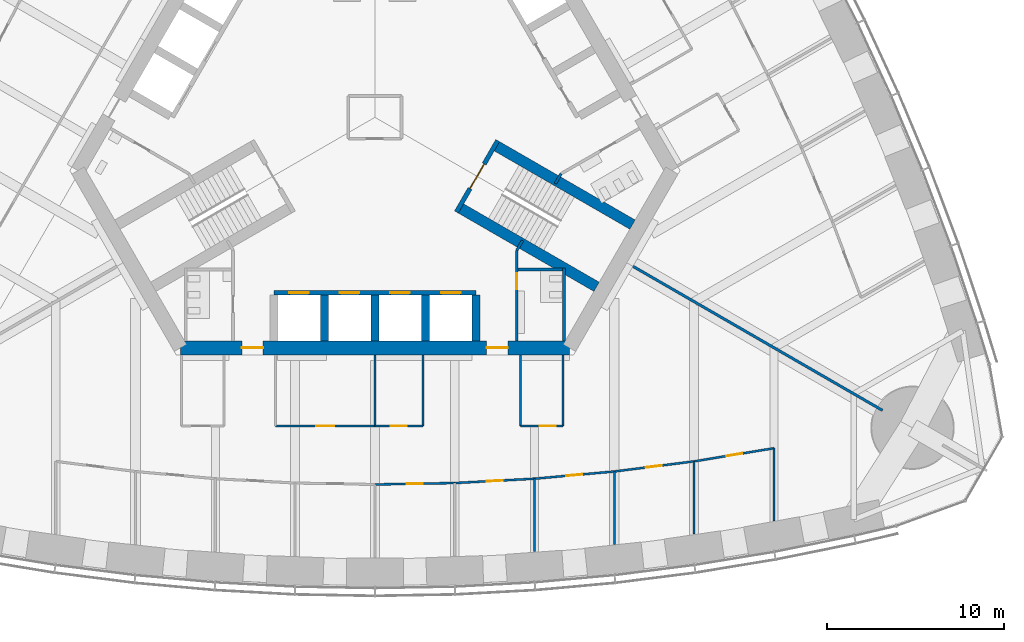
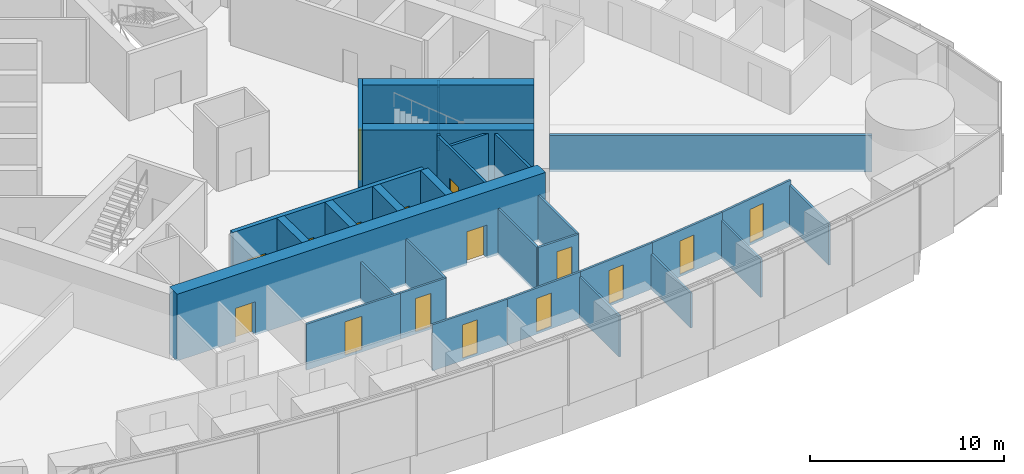
# One storey, part 12 of 20: 31 walls, 16 doors, 16 openings.
"""IFC4 building model written with IfcOpenShell, lengths in metres."""

from ifc_helpers import new_model, si_unit, direction, frame, frame_2d, origin, place, context, subcontext, project, spatial, rectangle, extrude, material, layer, layer_set, type_object, element, fill, save


model = new_model("IFC4")

# Units and contexts
model_context = context("Model", 3, precision=1e-05, world=origin(), true_north=direction((0.0, 1.0)))
body_context = subcontext(model_context, "Body", "Model", "MODEL_VIEW")
ifc_project = project(units=[si_unit("LENGTHUNIT", "METRE"), si_unit("AREAUNIT", "SQUARE_METRE"), si_unit("VOLUMEUNIT", "CUBIC_METRE"), si_unit("PLANEANGLEUNIT", "RADIAN"), si_unit("MASSUNIT", "GRAM", prefix="KILO")], contexts=[model_context])

# Site, building, storey
site_placement = place(None, origin())
site = spatial("IfcSite", under=ifc_project, at=site_placement, CompositionType="ELEMENT")
building_placement = place(site_placement, origin())
building = spatial("IfcBuilding", under=site, at=building_placement, Name="Trefoil Bronze Tower", CompositionType="ELEMENT")
storey_placement = place(building_placement, frame((0.0, 0.0, 103.10009765625)))
storey = spatial("IfcBuildingStorey", under=building, at=storey_placement, Name="L23", CompositionType="ELEMENT", Elevation=103.10009765625)

# Wall, openings, doors
ifc_material_1 = material(Name="Concrete B80", Category="concrete")
ifc_layer_1 = layer(ifc_material_1, 0.800048828125)
ifc_layer_set_1 = layer_set([ifc_layer_1], Name="Core wall 800")
wall_type_1 = type_object("IfcWallType", Name="Core wall 800", PredefinedType="SHEAR", material=ifc_layer_set_1)
wall_1_placement = place(storey_placement, frame((-10.9697265625, -13.0, 0.0), z_axis=(0.0, 0.0, 1.0), x_axis=(1.0, 0.0, 0.0)))
wall_1 = element("IfcWall", 1, at=wall_1_placement, inside=storey, type_object=wall_type_1, Name="Core long wall 1 L23", PredefinedType="SHEAR", context=body_context, shape_type="SweptSolid", body=[
    extrude(rectangle(XDim=21.939453125, YDim=0.800048828125, at=frame_2d((10.9697265625, 0.0))), origin(), (0.0, 0.0, 1.0), 4.199951171875),
])
opening_1_placement = place(wall_1_placement, frame((17.269775390625, 0.0, 0.0)))
opening_1 = element("IfcOpeningElement", 2, at=opening_1_placement, cuts=wall_1, Name="Opening D2", PredefinedType="OPENING", context=body_context, shape_type="SweptSolid", body=[
    extrude(rectangle(XDim=1.199951171875, YDim=2.10009765625, at=frame_2d((0.60009765625, 1.050048828125))), frame((0.0, 0.409912109375, 0.0), z_axis=(0.0, -1.0, 0.0), x_axis=(1.0, 0.0, 0.0)), (0.0, 0.0, 1.0), 0.820068359375),
])
opening_2_placement = place(wall_1_placement, frame((3.4697265625, 0.0, 0.0)))
opening_2 = element("IfcOpeningElement", 3, at=opening_2_placement, cuts=wall_1, Name="Opening D2", PredefinedType="OPENING", context=body_context, shape_type="SweptSolid", body=[
    extrude(rectangle(XDim=1.199951171875, YDim=2.10009765625, at=frame_2d((0.60009765625, 1.050048828125))), frame((0.0, 0.409912109375, 0.0), z_axis=(0.0, -1.0, 0.0), x_axis=(1.0, 0.0, 0.0)), (0.0, 0.0, 1.0), 0.820068359375),
])
ifc_material_2 = material(Name="Steel door", Category="steel")
door_type_1 = type_object("IfcDoorType", Name="Lobby door 1200", OperationType="SINGLE_SWING_RIGHT", PredefinedType="DOOR", material=ifc_material_2)
door_1_placement = place(opening_1_placement, origin())
door_1 = element("IfcDoor", 4, at=door_1_placement, inside=storey, type_object=door_type_1, Name="Lobby door F1+ L23", OperationType="SINGLE_SWING_RIGHT", OverallHeight=2.10009765625, OverallWidth=1.199951171875, PredefinedType="DOOR", context=body_context, shape_type="SweptSolid", body=[
    extrude(rectangle(XDim=1.199951171875, YDim=2.10009765625, at=frame_2d((0.60009765625, 1.050048828125))), frame((0.0, 0.02490234375, 0.0), z_axis=(0.0, -1.0, 0.0), x_axis=(1.0, 0.0, 0.0)), (0.0, 0.0, 1.0), 0.050048828125),
])
fill(opening_1, door_1)
door_2_placement = place(opening_2_placement, origin())
door_2 = element("IfcDoor", 5, at=door_2_placement, inside=storey, type_object=door_type_1, Name="Lobby door F1- L23", OperationType="SINGLE_SWING_LEFT", OverallHeight=2.10009765625, OverallWidth=1.199951171875, PredefinedType="DOOR", context=body_context, shape_type="SweptSolid", body=[
    extrude(rectangle(XDim=1.199951171875, YDim=2.10009765625, at=frame_2d((0.60009765625, 1.050048828125))), frame((0.0, 0.02490234375, 0.0), z_axis=(0.0, -1.0, 0.0), x_axis=(1.0, 0.0, 0.0)), (0.0, 0.0, 1.0), 0.050048828125),
])
fill(opening_2, door_2)

# Wall, opening, door
ifc_material_3 = material(Name="Glazed partition", Category="glass")
ifc_layer_2 = layer(ifc_material_3, 0.1201171875)
ifc_layer_set_2 = layer_set([ifc_layer_2], Name="Glazed partition 120")
wall_type_2 = type_object("IfcWallType", Name="Glazed partition 120", PredefinedType="PARTITIONING", material=ifc_layer_set_2)
wall_2_placement = place(storey_placement, frame((8.199951171875, -17.39990234375, 0.0), z_axis=(0.0, 0.0, 1.0), x_axis=(1.0, 0.0, 0.0)))
wall_2 = element("IfcWall", 6, at=wall_2_placement, inside=storey, type_object=wall_type_2, Name="Partition F1 L23", PredefinedType="PARTITIONING", context=body_context, shape_type="SweptSolid", body=[
    extrude(rectangle(XDim=2.400146484375, YDim=0.1201171875, at=frame_2d((1.2001953125, 0.0))), origin(), (0.0, 0.0, 1.0), 2.89990234375),
])
opening_3_placement = place(wall_2_placement, frame((1.10009765625, 0.0, 0.14990234375)))
opening_3 = element("IfcOpeningElement", 7, at=opening_3_placement, cuts=wall_2, Name="Opening D8", PredefinedType="OPENING", context=body_context, shape_type="SweptSolid", body=[
    extrude(rectangle(XDim=0.89990234375, YDim=2.10009765625, at=frame_2d((0.449951171875, 1.050048828125))), frame((0.0, 0.070068359375, 0.0), z_axis=(0.0, -1.0, 0.0), x_axis=(1.0, 0.0, 0.0)), (0.0, 0.0, 1.0), 0.14013671875),
])
ifc_material_4 = material(Name="Timber door", Category="wood")
door_type_2 = type_object("IfcDoorType", Name="Office door 900", OperationType="SINGLE_SWING_LEFT", PredefinedType="DOOR", material=ifc_material_4)
door_3_placement = place(opening_3_placement, origin())
door_3 = element("IfcDoor", 8, at=door_3_placement, inside=storey, type_object=door_type_2, Name="Print and store room door F1 L23", OperationType="SINGLE_SWING_RIGHT", OverallHeight=2.10009765625, OverallWidth=0.89990234375, PredefinedType="DOOR", context=body_context, shape_type="SweptSolid", body=[
    extrude(rectangle(XDim=0.89990234375, YDim=2.10009765625, at=frame_2d((0.449951171875, 1.050048828125))), frame((0.0, 0.02490234375, 0.0), z_axis=(0.0, -1.0, 0.0), x_axis=(1.0, 0.0, 0.0)), (0.0, 0.0, 1.0), 0.050048828125),
])
fill(opening_3, door_3)

wall_3_placement = place(storey_placement, frame((0.0, -17.39990234375, 0.0), z_axis=(0.0, 0.0, 1.0), x_axis=(1.0, 0.0, 0.0)))
wall_3 = element("IfcWall", 9, at=wall_3_placement, inside=storey, type_object=wall_type_2, Name="Partition F1 L23", PredefinedType="PARTITIONING", context=body_context, shape_type="SweptSolid", body=[
    extrude(rectangle(XDim=2.699951171875, YDim=0.1201171875, at=frame_2d((1.35009765625, 0.0))), origin(), (0.0, 0.0, 1.0), 2.89990234375),
])
opening_4_placement = place(wall_3_placement, frame((0.89990234375, 0.0, 0.14990234375)))
opening_4 = element("IfcOpeningElement", 10, at=opening_4_placement, cuts=wall_3, Name="Opening D8", PredefinedType="OPENING", context=body_context, shape_type="SweptSolid", body=[
    extrude(rectangle(XDim=0.89990234375, YDim=2.10009765625, at=frame_2d((0.449951171875, 1.050048828125))), frame((0.0, 0.070068359375, 0.0), z_axis=(0.0, -1.0, 0.0), x_axis=(1.0, 0.0, 0.0)), (0.0, 0.0, 1.0), 0.14013671875),
])
door_4_placement = place(opening_4_placement, origin())
door_4 = element("IfcDoor", 11, at=door_4_placement, inside=storey, type_object=door_type_2, Name="Pantry door F1 L23", OperationType="SINGLE_SWING_LEFT", OverallHeight=2.10009765625, OverallWidth=0.89990234375, PredefinedType="DOOR", context=body_context, shape_type="SweptSolid", body=[
    extrude(rectangle(XDim=0.89990234375, YDim=2.10009765625, at=frame_2d((0.449951171875, 1.050048828125))), frame((0.0, 0.02490234375, 0.0), z_axis=(0.0, -1.0, 0.0), x_axis=(1.0, 0.0, 0.0)), (0.0, 0.0, 1.0), 0.050048828125),
])
fill(opening_4, door_4)

wall_4_placement = place(storey_placement, frame((-5.60009765625, -17.39990234375, 0.0), z_axis=(0.0, 0.0, 1.0), x_axis=(1.0, 0.0, 0.0)))
wall_4 = element("IfcWall", 12, at=wall_4_placement, inside=storey, type_object=wall_type_2, Name="Partition F1 L23", PredefinedType="PARTITIONING", context=body_context, shape_type="SweptSolid", body=[
    extrude(rectangle(XDim=5.60009765625, YDim=0.1201171875, at=frame_2d((2.800048828125, 0.0))), origin(), (0.0, 0.0, 1.0), 2.89990234375),
])
opening_5_placement = place(wall_4_placement, frame((2.300048828125, 0.0, 0.14990234375)))
opening_5 = element("IfcOpeningElement", 13, at=opening_5_placement, cuts=wall_4, Name="Opening D9", PredefinedType="OPENING", context=body_context, shape_type="SweptSolid", body=[
    extrude(rectangle(XDim=1.0, YDim=2.10009765625, at=frame_2d((0.5, 1.050048828125))), frame((0.0, 0.070068359375, 0.0), z_axis=(0.0, -1.0, 0.0), x_axis=(1.0, 0.0, 0.0)), (0.0, 0.0, 1.0), 0.14013671875),
])
ifc_material_5 = material(Name="Glazed timber door", Category="wood")
door_type_3 = type_object("IfcDoorType", Name="Meeting room door 1000", OperationType="SINGLE_SWING_LEFT", PredefinedType="DOOR", material=ifc_material_5)
door_5_placement = place(opening_5_placement, origin())
door_5 = element("IfcDoor", 14, at=door_5_placement, inside=storey, type_object=door_type_3, Name="Meeting room door F1 L23", OperationType="SINGLE_SWING_LEFT", OverallHeight=2.10009765625, OverallWidth=1.0, PredefinedType="DOOR", context=body_context, shape_type="SweptSolid", body=[
    extrude(rectangle(XDim=1.0, YDim=2.10009765625, at=frame_2d((0.5, 1.050048828125))), frame((0.0, 0.02490234375, 0.0), z_axis=(0.0, -1.0, 0.0), x_axis=(1.0, 0.0, 0.0)), (0.0, 0.0, 1.0), 0.050048828125),
])
fill(opening_5, door_5)

# Walls
for number, where, z_axis, x_axis, name in (
    (15, (10.60009765625, -13.39990234375, 0.0), (0.0, 0.0, 1.0), (0.0, -1.0, 0.0), "Partition F1 L23"),
    (16, (2.699951171875, -13.39990234375, 0.0), (0.0, 0.0, 1.0), (0.0, -1.0, 0.0), "Partition F1 L23"),
    (17, (8.199951171875, -13.39990234375, 0.0), (0.0, 0.0, 1.0), (0.0, -1.0, 0.0), "Partition F1 L23"),
):
    element("IfcWall", number, at=place(storey_placement, frame(where, z_axis=z_axis, x_axis=x_axis)), inside=storey, type_object=wall_type_2, Name=name, PredefinedType="PARTITIONING", context=body_context, shape_type="SweptSolid", body=[
        extrude(rectangle(XDim=4.0, YDim=0.1201171875, at=frame_2d((2.0, 0.0))), origin(), (0.0, 0.0, 1.0), 2.89990234375),
    ])
wall_5_placement = place(storey_placement, frame((0.0, -13.39990234375, 0.0), z_axis=(0.0, 0.0, 1.0), x_axis=(0.0, -1.0, 0.0)))
element("IfcWall", 18, at=wall_5_placement, inside=storey, type_object=wall_type_2, Name="Partition F1 L23", PredefinedType="PARTITIONING", context=body_context, shape_type="SweptSolid", body=[
    extrude(rectangle(XDim=4.0, YDim=0.1201171875, at=frame_2d((2.0, 0.0))), origin(), (0.0, 0.0, 1.0), 2.39990234375),
])

# Wall, opening, door
wall_6_placement = place(storey_placement, frame((0.0, -20.69970703125, 0.0), z_axis=(0.0, 0.0, 1.0), x_axis=(0.999837820638, 0.018009231578, 0.0)))
wall_6 = element("IfcWall", 19, at=wall_6_placement, inside=storey, type_object=wall_type_2, Name="Partition F1 L23", PredefinedType="PARTITIONING", context=body_context, shape_type="SweptSolid", body=[
    extrude(rectangle(XDim=4.500732421875, YDim=0.1201171875, at=frame_2d((2.25048828125, 0.0))), origin(), (0.0, 0.0, 1.0), 2.89990234375),
])
opening_6_placement = place(wall_6_placement, frame((1.800048828125, 0.0, 0.14990234375)))
opening_6 = element("IfcOpeningElement", 20, at=opening_6_placement, cuts=wall_6, Name="Opening D8", PredefinedType="OPENING", context=body_context, shape_type="SweptSolid", body=[
    extrude(rectangle(XDim=0.89990234375, YDim=2.10009765625, at=frame_2d((0.449951171875, 1.050048828125))), frame((0.0, 0.070068359375, 0.0), z_axis=(0.0, -1.0, 0.0), x_axis=(1.0, 0.0, 0.0)), (0.0, 0.0, 1.0), 0.14013671875),
])
door_6_placement = place(opening_6_placement, frame((0.89990234375, 0.0, 0.0), z_axis=(0.0, 0.0, 1.0), x_axis=(-1.0, 0.0, 0.0)))
door_6 = element("IfcDoor", 21, at=door_6_placement, inside=storey, type_object=door_type_2, Name="Office door F1 L23", OperationType="SINGLE_SWING_RIGHT", OverallHeight=2.10009765625, OverallWidth=0.89990234375, PredefinedType="DOOR", context=body_context, shape_type="SweptSolid", body=[
    extrude(rectangle(XDim=0.89990234375, YDim=2.10009765625, at=frame_2d((0.449951171875, 1.050048828125))), frame((0.0, 0.02490234375, 0.0), z_axis=(0.0, -1.0, 0.0), x_axis=(1.0, 0.0, 0.0)), (0.0, 0.0, 1.0), 0.050048828125),
])
fill(opening_6, door_6)

wall_7_placement = place(storey_placement, frame((13.5, -19.9677734375, 0.0), z_axis=(0.0, 0.0, 1.0), x_axis=(0.992010652594, 0.12615413247, 0.0)))
wall_7 = element("IfcWall", 22, at=wall_7_placement, inside=storey, type_object=wall_type_2, Name="Partition F1 L23", PredefinedType="PARTITIONING", context=body_context, shape_type="SweptSolid", body=[
    extrude(rectangle(XDim=4.5361328125, YDim=0.1201171875, at=frame_2d((2.26806640625, 0.0))), origin(), (0.0, 0.0, 1.0), 2.89990234375),
])
opening_7_placement = place(wall_7_placement, frame((1.800048828125, 0.0, 0.14990234375)))
opening_7 = element("IfcOpeningElement", 23, at=opening_7_placement, cuts=wall_7, Name="Opening D8", PredefinedType="OPENING", context=body_context, shape_type="SweptSolid", body=[
    extrude(rectangle(XDim=0.89990234375, YDim=2.10009765625, at=frame_2d((0.449951171875, 1.050048828125))), frame((0.0, 0.070068359375, 0.0), z_axis=(0.0, -1.0, 0.0), x_axis=(1.0, 0.0, 0.0)), (0.0, 0.0, 1.0), 0.14013671875),
])
door_7_placement = place(opening_7_placement, frame((0.89990234375, 0.0, 0.0), z_axis=(0.0, 0.0, 1.0), x_axis=(-1.0, 0.0, 0.0)))
door_7 = element("IfcDoor", 24, at=door_7_placement, inside=storey, type_object=door_type_2, Name="Office door F1 L23", OperationType="SINGLE_SWING_RIGHT", OverallHeight=2.10009765625, OverallWidth=0.89990234375, PredefinedType="DOOR", context=body_context, shape_type="SweptSolid", body=[
    extrude(rectangle(XDim=0.89990234375, YDim=2.10009765625, at=frame_2d((0.449951171875, 1.050048828125))), frame((0.0, 0.02490234375, 0.0), z_axis=(0.0, -1.0, 0.0), x_axis=(1.0, 0.0, 0.0)), (0.0, 0.0, 1.0), 0.050048828125),
])
fill(opening_7, door_7)

wall_8_placement = place(storey_placement, frame((18.0, -19.3955078125, 0.0), z_axis=(0.0, 0.0, 1.0), x_axis=(0.986764681833, 0.162158757664, 0.0)))
wall_8 = element("IfcWall", 25, at=wall_8_placement, inside=storey, type_object=wall_type_2, Name="Partition F1 L23", PredefinedType="PARTITIONING", context=body_context, shape_type="SweptSolid", body=[
    extrude(rectangle(XDim=4.560302734375, YDim=0.1201171875, at=frame_2d((2.2802734375, 0.0))), origin(), (0.0, 0.0, 1.0), 2.89990234375),
])
opening_8_placement = place(wall_8_placement, frame((1.85009765625, 0.0, 0.14990234375)))
opening_8 = element("IfcOpeningElement", 26, at=opening_8_placement, cuts=wall_8, Name="Opening D8", PredefinedType="OPENING", context=body_context, shape_type="SweptSolid", body=[
    extrude(rectangle(XDim=0.89990234375, YDim=2.10009765625, at=frame_2d((0.449951171875, 1.050048828125))), frame((0.0, 0.070068359375, 0.0), z_axis=(0.0, -1.0, 0.0), x_axis=(1.0, 0.0, 0.0)), (0.0, 0.0, 1.0), 0.14013671875),
])
door_8_placement = place(opening_8_placement, frame((0.89990234375, 0.0, 0.0), z_axis=(0.0, 0.0, 1.0), x_axis=(-1.0, 0.0, 0.0)))
door_8 = element("IfcDoor", 27, at=door_8_placement, inside=storey, type_object=door_type_2, Name="Office door F1 L23", OperationType="SINGLE_SWING_LEFT", OverallHeight=2.10009765625, OverallWidth=0.89990234375, PredefinedType="DOOR", context=body_context, shape_type="SweptSolid", body=[
    extrude(rectangle(XDim=0.89990234375, YDim=2.10009765625, at=frame_2d((0.449951171875, 1.050048828125))), frame((0.0, 0.02490234375, 0.0), z_axis=(0.0, -1.0, 0.0), x_axis=(1.0, 0.0, 0.0)), (0.0, 0.0, 1.0), 0.050048828125),
])
fill(opening_8, door_8)

wall_9_placement = place(storey_placement, frame((4.5, -20.61865234375, 0.0), z_axis=(0.0, 0.0, 1.0), x_axis=(0.998537376538, 0.054065771581, 0.0)))
wall_9 = element("IfcWall", 28, at=wall_9_placement, inside=storey, type_object=wall_type_2, Name="Partition F1 L23", PredefinedType="PARTITIONING", context=body_context, shape_type="SweptSolid", body=[
    extrude(rectangle(XDim=4.506591796875, YDim=0.1201171875, at=frame_2d((2.25341796875, 0.0))), origin(), (0.0, 0.0, 1.0), 2.89990234375),
])
opening_9_placement = place(wall_9_placement, frame((1.800048828125, 0.0, 0.14990234375)))
opening_9 = element("IfcOpeningElement", 29, at=opening_9_placement, cuts=wall_9, Name="Opening D8", PredefinedType="OPENING", context=body_context, shape_type="SweptSolid", body=[
    extrude(rectangle(XDim=0.89990234375, YDim=2.10009765625, at=frame_2d((0.449951171875, 1.050048828125))), frame((0.0, 0.070068359375, 0.0), z_axis=(0.0, -1.0, 0.0), x_axis=(1.0, 0.0, 0.0)), (0.0, 0.0, 1.0), 0.14013671875),
])
door_9_placement = place(opening_9_placement, frame((0.89990234375, 0.0, 0.0), z_axis=(0.0, 0.0, 1.0), x_axis=(-1.0, 0.0, 0.0)))
door_9 = element("IfcDoor", 30, at=door_9_placement, inside=storey, type_object=door_type_2, Name="Office door F1 L23", OperationType="SINGLE_SWING_RIGHT", OverallHeight=2.10009765625, OverallWidth=0.89990234375, PredefinedType="DOOR", context=body_context, shape_type="SweptSolid", body=[
    extrude(rectangle(XDim=0.89990234375, YDim=2.10009765625, at=frame_2d((0.449951171875, 1.050048828125))), frame((0.0, 0.02490234375, 0.0), z_axis=(0.0, -1.0, 0.0), x_axis=(1.0, 0.0, 0.0)), (0.0, 0.0, 1.0), 0.050048828125),
])
fill(opening_9, door_9)

wall_10_placement = place(storey_placement, frame((9.0, -20.375, 0.0), z_axis=(0.0, 0.0, 1.0), x_axis=(0.995930325215, 0.090126507295, 0.0)))
wall_10 = element("IfcWall", 31, at=wall_10_placement, inside=storey, type_object=wall_type_2, Name="Partition F1 L23", PredefinedType="PARTITIONING", context=body_context, shape_type="SweptSolid", body=[
    extrude(rectangle(XDim=4.518310546875, YDim=0.1201171875, at=frame_2d((2.25927734375, 0.0))), origin(), (0.0, 0.0, 1.0), 2.89990234375),
])
opening_10_placement = place(wall_10_placement, frame((1.800048828125, 0.0, 0.14990234375)))
opening_10 = element("IfcOpeningElement", 32, at=opening_10_placement, cuts=wall_10, Name="Opening D8", PredefinedType="OPENING", context=body_context, shape_type="SweptSolid", body=[
    extrude(rectangle(XDim=0.89990234375, YDim=2.10009765625, at=frame_2d((0.449951171875, 1.050048828125))), frame((0.0, 0.070068359375, 0.0), z_axis=(0.0, -1.0, 0.0), x_axis=(1.0, 0.0, 0.0)), (0.0, 0.0, 1.0), 0.14013671875),
])
door_10_placement = place(opening_10_placement, frame((0.89990234375, 0.0, 0.0), z_axis=(0.0, 0.0, 1.0), x_axis=(-1.0, 0.0, 0.0)))
door_10 = element("IfcDoor", 33, at=door_10_placement, inside=storey, type_object=door_type_2, Name="Office door F1 L23", OperationType="SINGLE_SWING_RIGHT", OverallHeight=2.10009765625, OverallWidth=0.89990234375, PredefinedType="DOOR", context=body_context, shape_type="SweptSolid", body=[
    extrude(rectangle(XDim=0.89990234375, YDim=2.10009765625, at=frame_2d((0.449951171875, 1.050048828125))), frame((0.0, 0.02490234375, 0.0), z_axis=(0.0, -1.0, 0.0), x_axis=(1.0, 0.0, 0.0)), (0.0, 0.0, 1.0), 0.050048828125),
])
fill(opening_10, door_10)

# Walls
wall_11_placement = place(storey_placement, frame((13.5, -19.9677734375, 0.0), z_axis=(0.0, 0.0, 1.0), x_axis=(0.0, -1.0, 0.0)))
element("IfcWall", 34, at=wall_11_placement, inside=storey, type_object=wall_type_2, Name="Partition F1 L23", PredefinedType="PARTITIONING", context=body_context, shape_type="SweptSolid", body=[
    extrude(rectangle(XDim=4.1103515625, YDim=0.1201171875, at=frame_2d((2.05517578125, 0.0))), origin(), (0.0, 0.0, 1.0), 2.199951171875),
])
wall_12_placement = place(storey_placement, frame((18.0, -19.3955078125, 0.0), z_axis=(0.0, 0.0, 1.0), x_axis=(0.0, -1.0, 0.0)))
element("IfcWall", 35, at=wall_12_placement, inside=storey, type_object=wall_type_2, Name="Partition F1 L23", PredefinedType="PARTITIONING", context=body_context, shape_type="SweptSolid", body=[
    extrude(rectangle(XDim=4.10302734375, YDim=0.1201171875, at=frame_2d((2.051513671875, 0.0))), origin(), (0.0, 0.0, 1.0), 2.39990234375),
])
wall_13_placement = place(storey_placement, frame((22.5, -18.656005859375, 0.0), z_axis=(0.0, 0.0, 1.0), x_axis=(0.0, -1.0, 0.0)))
element("IfcWall", 36, at=wall_13_placement, inside=storey, type_object=wall_type_2, Name="Partition F1 L23", PredefinedType="PARTITIONING", context=body_context, shape_type="SweptSolid", body=[
    extrude(rectangle(XDim=4.093017578125, YDim=0.1201171875, at=frame_2d((2.04638671875, 0.0))), origin(), (0.0, 0.0, 1.0), 2.599853515625),
])
wall_14_placement = place(storey_placement, frame((9.0, -20.375, 0.0), z_axis=(0.0, 0.0, 1.0), x_axis=(0.0, -1.0, 0.0)))
element("IfcWall", 37, at=wall_14_placement, inside=storey, type_object=wall_type_2, Name="Partition F1 L23", PredefinedType="PARTITIONING", context=body_context, shape_type="SweptSolid", body=[
    extrude(rectangle(XDim=4.11572265625, YDim=0.1201171875, at=frame_2d((2.057861328125, 0.0))), origin(), (0.0, 0.0, 1.0), 2.599853515625),
])
ifc_material_6 = material(Name="Concrete B80", Category="concrete")
ifc_layer_3 = layer(ifc_material_6, 0.449951171875)
ifc_layer_set_3 = layer_set([ifc_layer_3], Name="Outrigger shaft wall 450")
wall_type_3 = type_object("IfcWallType", Name="Outrigger shaft wall 450", PredefinedType="SHEAR", material=ifc_layer_set_3)
for number, where, z_axis, x_axis, name in (
    (38, (-2.85009765625, -10.02490234375, 0.0), (0.0, 0.0, 1.0), (0.0, -1.0, 0.0), "Lift shaft side wall A1 L23"),
    (39, (0.0, -10.02490234375, 0.0), (0.0, 0.0, 1.0), (0.0, -1.0, 0.0), "Lift shaft side wall A2 L23"),
    (40, (2.85009765625, -10.02490234375, 0.0), (0.0, 0.0, 1.0), (0.0, -1.0, 0.0), "Lift shaft side wall A3 L23"),
    (41, (5.699951171875, -10.02490234375, 0.0), (0.0, 0.0, 1.0), (0.0, -1.0, 0.0), "Lift shaft side wall A4 L23"),
):
    element("IfcWall", number, at=place(storey_placement, frame(where, z_axis=z_axis, x_axis=x_axis)), inside=storey, type_object=wall_type_3, Name=name, PredefinedType="SHEAR", context=body_context, shape_type="SweptSolid", body=[
        extrude(rectangle(XDim=2.5751953125, YDim=0.449951171875, at=frame_2d((1.28759765625, 0.0))), origin(), (0.0, 0.0, 1.0), 4.199951171875),
    ])

# Wall, opening, door
ifc_material_7 = material(Name="Gypsum board on steel studs", Category="steel")
ifc_layer_4 = layer(ifc_material_7, 0.14990234375)
ifc_layer_set_4 = layer_set([ifc_layer_4], Name="Partition 150")
wall_type_4 = type_object("IfcWallType", Name="Partition 150", PredefinedType="PARTITIONING", material=ifc_layer_set_4)
wall_15_placement = place(storey_placement, frame((8.0, -7.5, 0.0), z_axis=(0.0, 0.0, 1.0), x_axis=(0.0, -1.0, 0.0)))
wall_15 = element("IfcWall", 42, at=wall_15_placement, inside=storey, type_object=wall_type_4, Name="Passage wall F1+ L23", PredefinedType="PARTITIONING", context=body_context, shape_type="SweptSolid", body=[
    extrude(rectangle(XDim=5.10009765625, YDim=0.14990234375, at=frame_2d((2.550048828125, 0.0))), origin(), (0.0, 0.0, 1.0), 4.0),
])
opening_11_placement = place(wall_15_placement, frame((1.300048828125, 0.0, 0.0)))
opening_11 = element("IfcOpeningElement", 43, at=opening_11_placement, cuts=wall_15, Name="Opening D3", PredefinedType="OPENING", context=body_context, shape_type="SweptSolid", body=[
    extrude(rectangle(XDim=0.89990234375, YDim=2.10009765625, at=frame_2d((0.449951171875, 1.050048828125))), frame((0.0, 0.0849609375, 0.0), z_axis=(0.0, -1.0, 0.0), x_axis=(1.0, 0.0, 0.0)), (0.0, 0.0, 1.0), 0.169921875),
])
ifc_material_8 = material(Name="Timber door", Category="wood")
door_type_4 = type_object("IfcDoorType", Name="WC door 900", OperationType="SINGLE_SWING_LEFT", PredefinedType="DOOR", material=ifc_material_8)
door_11_placement = place(opening_11_placement, origin())
door_11 = element("IfcDoor", 44, at=door_11_placement, inside=storey, type_object=door_type_4, Name="WC (men) door L23", OperationType="SINGLE_SWING_LEFT", OverallHeight=2.10009765625, OverallWidth=0.89990234375, PredefinedType="DOOR", context=body_context, shape_type="SweptSolid", body=[
    extrude(rectangle(XDim=0.89990234375, YDim=2.10009765625, at=frame_2d((0.449951171875, 1.050048828125))), frame((0.0, 0.02490234375, 0.0), z_axis=(0.0, -1.0, 0.0), x_axis=(1.0, 0.0, 0.0)), (0.0, 0.0, 1.0), 0.050048828125),
])
fill(opening_11, door_11)

# Walls
for number, where, z_axis, x_axis, name in (
    (45, (8.0, -7.5, 0.0), (0.0, 0.0, 1.0), (0.499842556608, 0.866116284689, 0.0), "WC wall ST1-1 L23"),
    (46, (10.4951171875, -3.17822265625, 0.0), (0.0, 0.0, 1.0), (-0.499842556608, -0.866116284689, 0.0), "WC wall ST1+1 L23"),
):
    element("IfcWall", number, at=place(storey_placement, frame(where, z_axis=z_axis, x_axis=x_axis)), inside=storey, type_object=wall_type_4, Name=name, PredefinedType="PARTITIONING", context=body_context, shape_type="SweptSolid", body=[
        extrude(rectangle(XDim=0.645263671875, YDim=0.14990234375, at=frame_2d((0.32275390625, 0.0))), origin(), (0.0, 0.0, 1.0), 4.0),
    ])
wall_16_placement = place(storey_placement, frame((10.659912109375, -8.5, 0.0), z_axis=(0.0, 0.0, 1.0), x_axis=(0.0, -1.0, 0.0)))
element("IfcWall", 47, at=wall_16_placement, inside=storey, type_object=wall_type_4, Name="WC partition WC (men) L23", PredefinedType="PARTITIONING", context=body_context, shape_type="SweptSolid", body=[
    extrude(rectangle(XDim=4.10009765625, YDim=0.14990234375, at=frame_2d((2.050048828125, 0.0))), origin(), (0.0, 0.0, 1.0), 4.0),
])
wall_17_placement = place(storey_placement, frame((8.074951171875, -8.574951171875, 0.0), z_axis=(0.0, 0.0, 1.0), x_axis=(1.0, 0.0, 0.0)))
element("IfcWall", 48, at=wall_17_placement, inside=storey, type_object=wall_type_4, Name="WC partition WC (men) L23", PredefinedType="PARTITIONING", context=body_context, shape_type="SweptSolid", body=[
    extrude(rectangle(XDim=2.510009765625, YDim=0.14990234375, at=frame_2d((1.2548828125, 0.0))), origin(), (0.0, 0.0, 1.0), 4.0),
])
ifc_material_9 = material(Name="Gypsum board on steel studs", Category="steel")
ifc_layer_5 = layer(ifc_material_9, 0.14990234375)
ifc_layer_set_5 = layer_set([ifc_layer_5], Name="Party wall 150")
wall_type_5 = type_object("IfcWallType", Name="Party wall 150", PredefinedType="PARTITIONING", material=ifc_layer_set_5)
wall_18_placement = place(storey_placement, frame((14.202880859375, -8.199951171875, 0.0), z_axis=(0.0, 0.0, 1.0), x_axis=(0.866024668836, -0.500001272966, 0.0)))
element("IfcWall", 49, at=wall_18_placement, inside=storey, type_object=wall_type_5, Name="Party wall K1 L23", PredefinedType="PARTITIONING", context=body_context, shape_type="SweptSolid", body=[
    extrude(rectangle(XDim=16.64990234375, YDim=0.14990234375, at=frame_2d((8.324951171875, 0.0))), origin(), (0.0, 0.0, 1.0), 2.2998046875),
])

# Wall, openings, doors
ifc_material_10 = material(Name="Concrete B80", Category="concrete")
ifc_layer_6 = layer(ifc_material_10, 0.25)
ifc_layer_set_6 = layer_set([ifc_layer_6], Name="Shaft wall 250")
wall_type_6 = type_object("IfcWallType", Name="Shaft wall 250", PredefinedType="SHEAR", material=ifc_layer_set_6)
wall_19_placement = place(storey_placement, frame((-5.699951171875, -9.89990234375, 0.0), z_axis=(0.0, 0.0, 1.0), x_axis=(1.0, 0.0, 0.0)))
wall_19 = element("IfcWall", 50, at=wall_19_placement, inside=storey, type_object=wall_type_6, Name="Lift shaft front wall A L23", PredefinedType="SHEAR", context=body_context, shape_type="SweptSolid", body=[
    extrude(rectangle(XDim=11.39990234375, YDim=0.25, at=frame_2d((5.699951171875, 0.0))), origin(), (0.0, 0.0, 1.0), 4.199951171875),
])
opening_12_placement = place(wall_19_placement, frame((0.875, 0.0, 0.0)))
opening_12 = element("IfcOpeningElement", 51, at=opening_12_placement, cuts=wall_19, Name="Opening LD-P21", PredefinedType="OPENING", context=body_context, shape_type="SweptSolid", body=[
    extrude(rectangle(XDim=1.10009765625, YDim=2.199951171875, at=frame_2d((0.550048828125, 1.10009765625))), frame((0.0, 0.135009765625, 0.0), z_axis=(0.0, -1.0, 0.0), x_axis=(1.0, 0.0, 0.0)), (0.0, 0.0, 1.0), 0.27001953125),
])
opening_13_placement = place(wall_19_placement, frame((3.72509765625, 0.0, 0.0)))
opening_13 = element("IfcOpeningElement", 52, at=opening_13_placement, cuts=wall_19, Name="Opening LD-P22", PredefinedType="OPENING", context=body_context, shape_type="SweptSolid", body=[
    extrude(rectangle(XDim=1.10009765625, YDim=2.199951171875, at=frame_2d((0.550048828125, 1.10009765625))), frame((0.0, 0.135009765625, 0.0), z_axis=(0.0, -1.0, 0.0), x_axis=(1.0, 0.0, 0.0)), (0.0, 0.0, 1.0), 0.27001953125),
])
opening_14_placement = place(wall_19_placement, frame((6.574951171875, 0.0, 0.0)))
opening_14 = element("IfcOpeningElement", 53, at=opening_14_placement, cuts=wall_19, Name="Opening LD-P23", PredefinedType="OPENING", context=body_context, shape_type="SweptSolid", body=[
    extrude(rectangle(XDim=1.10009765625, YDim=2.199951171875, at=frame_2d((0.550048828125, 1.10009765625))), frame((0.0, 0.135009765625, 0.0), z_axis=(0.0, -1.0, 0.0), x_axis=(1.0, 0.0, 0.0)), (0.0, 0.0, 1.0), 0.27001953125),
])
opening_15_placement = place(wall_19_placement, frame((9.425048828125, 0.0, 0.0)))
opening_15 = element("IfcOpeningElement", 54, at=opening_15_placement, cuts=wall_19, Name="Opening LD-P24", PredefinedType="OPENING", context=body_context, shape_type="SweptSolid", body=[
    extrude(rectangle(XDim=1.10009765625, YDim=2.199951171875, at=frame_2d((0.550048828125, 1.10009765625))), frame((0.0, 0.135009765625, 0.0), z_axis=(0.0, -1.0, 0.0), x_axis=(1.0, 0.0, 0.0)), (0.0, 0.0, 1.0), 0.27001953125),
])
ifc_material_11 = material(Name="Steel door", Category="steel")
door_type_5 = type_object("IfcDoorType", Name="Lift landing door 1100", OperationType="DOUBLE_DOOR_SLIDING", PredefinedType="DOOR", material=ifc_material_11)
door_12_placement = place(opening_12_placement, origin())
door_12 = element("IfcDoor", 55, at=door_12_placement, inside=storey, type_object=door_type_5, Name="Lift P21 landing door L23", OperationType="DOUBLE_DOOR_SLIDING", OverallHeight=2.199951171875, OverallWidth=1.10009765625, PredefinedType="DOOR", context=body_context, shape_type="SweptSolid", body=[
    extrude(rectangle(XDim=1.10009765625, YDim=2.199951171875, at=frame_2d((0.550048828125, 1.10009765625))), frame((0.0, 0.02490234375, 0.0), z_axis=(0.0, -1.0, 0.0), x_axis=(1.0, 0.0, 0.0)), (0.0, 0.0, 1.0), 0.050048828125),
])
fill(opening_12, door_12)
door_13_placement = place(opening_13_placement, origin())
door_13 = element("IfcDoor", 56, at=door_13_placement, inside=storey, type_object=door_type_5, Name="Lift P22 landing door L23", OperationType="DOUBLE_DOOR_SLIDING", OverallHeight=2.199951171875, OverallWidth=1.10009765625, PredefinedType="DOOR", context=body_context, shape_type="SweptSolid", body=[
    extrude(rectangle(XDim=1.10009765625, YDim=2.199951171875, at=frame_2d((0.550048828125, 1.10009765625))), frame((0.0, 0.02490234375, 0.0), z_axis=(0.0, -1.0, 0.0), x_axis=(1.0, 0.0, 0.0)), (0.0, 0.0, 1.0), 0.050048828125),
])
fill(opening_13, door_13)
door_14_placement = place(opening_14_placement, origin())
door_14 = element("IfcDoor", 57, at=door_14_placement, inside=storey, type_object=door_type_5, Name="Lift P23 landing door L23", OperationType="DOUBLE_DOOR_SLIDING", OverallHeight=2.199951171875, OverallWidth=1.10009765625, PredefinedType="DOOR", context=body_context, shape_type="SweptSolid", body=[
    extrude(rectangle(XDim=1.10009765625, YDim=2.199951171875, at=frame_2d((0.550048828125, 1.10009765625))), frame((0.0, 0.02490234375, 0.0), z_axis=(0.0, -1.0, 0.0), x_axis=(1.0, 0.0, 0.0)), (0.0, 0.0, 1.0), 0.050048828125),
])
fill(opening_14, door_14)
door_15_placement = place(opening_15_placement, origin())
door_15 = element("IfcDoor", 58, at=door_15_placement, inside=storey, type_object=door_type_5, Name="Lift P24 landing door L23", OperationType="DOUBLE_DOOR_SLIDING", OverallHeight=2.199951171875, OverallWidth=1.10009765625, PredefinedType="DOOR", context=body_context, shape_type="SweptSolid", body=[
    extrude(rectangle(XDim=1.10009765625, YDim=2.199951171875, at=frame_2d((0.550048828125, 1.10009765625))), frame((0.0, 0.02490234375, 0.0), z_axis=(0.0, -1.0, 0.0), x_axis=(1.0, 0.0, 0.0)), (0.0, 0.0, 1.0), 0.050048828125),
])
fill(opening_15, door_15)

# Wall, opening, door
wall_20_placement = place(storey_placement, frame((4.5966796875, -5.338623046875, 0.0), z_axis=(0.0, 0.0, 1.0), x_axis=(0.499984536904, 0.866034331223, 0.0)))
wall_20 = element("IfcWall", 59, at=wall_20_placement, inside=storey, type_object=wall_type_6, Name="Stair end wall ST1 L23", PredefinedType="SHEAR", context=body_context, shape_type="SweptSolid", body=[
    extrude(rectangle(XDim=4.650146484375, YDim=0.25, at=frame_2d((2.3251953125, 0.0))), origin(), (0.0, 0.0, 1.0), 4.199951171875),
])
opening_16_placement = place(wall_20_placement, frame((1.52490234375, 0.0, 0.0)))
opening_16 = element("IfcOpeningElement", 60, at=opening_16_placement, cuts=wall_20, Name="Opening D1", PredefinedType="OPENING", context=body_context, shape_type="SweptSolid", body=[
    extrude(rectangle(XDim=1.60009765625, YDim=2.10009765625, at=frame_2d((0.800048828125, 1.050048828125))), frame((0.0, 0.135009765625, 0.0), z_axis=(0.0, -1.0, 0.0), x_axis=(1.0, 0.0, 0.0)), (0.0, 0.0, 1.0), 0.27001953125),
])
ifc_material_12 = material(Name="Steel door", Category="steel")
door_type_6 = type_object("IfcDoorType", Name="Stair door 1600", OperationType="DOUBLE_DOOR_SINGLE_SWING", PredefinedType="DOOR", material=ifc_material_12)
door_16_placement = place(opening_16_placement, frame((1.60009765625, 0.0, 0.0), z_axis=(0.0, 0.0, 1.0), x_axis=(-1.0, 0.0, 0.0)))
door_16 = element("IfcDoor", 61, at=door_16_placement, inside=storey, type_object=door_type_6, Name="Stair door ST1 L23", OperationType="DOUBLE_DOOR_SINGLE_SWING", OverallHeight=2.10009765625, OverallWidth=1.60009765625, PredefinedType="DOOR", context=body_context, shape_type="SweptSolid", body=[
    extrude(rectangle(XDim=1.60009765625, YDim=2.10009765625, at=frame_2d((0.800048828125, 1.050048828125))), frame((0.0, 0.02490234375, 0.0), z_axis=(0.0, -1.0, 0.0), x_axis=(1.0, 0.0, 0.0)), (0.0, 0.0, 1.0), 0.050048828125),
])
fill(opening_16, door_16)

# Walls
ifc_material_13 = material(Name="Concrete B80", Category="concrete")
ifc_layer_7 = layer(ifc_material_13, 0.60009765625)
ifc_layer_set_7 = layer_set([ifc_layer_7], Name="Stair wall 600")
wall_type_7 = type_object("IfcWallType", Name="Stair wall 600", PredefinedType="SHEAR", material=ifc_layer_set_7)
for number, where, z_axis, x_axis, name in (
    (62, (4.638427734375, -5.01611328125, 0.0), (0.0, 0.0, 1.0), (0.866019375473, -0.500010441196, 0.0), "Stair wall ST1 L23"),
    (63, (6.663330078125, -1.5087890625, 0.0), (0.0, 0.0, 1.0), (0.866019375473, -0.500010441196, 0.0), "Stair wall ST1 L23"),
):
    element("IfcWall", number, at=place(storey_placement, frame(where, z_axis=z_axis, x_axis=x_axis)), inside=storey, type_object=wall_type_7, Name=name, PredefinedType="SHEAR", context=body_context, shape_type="SweptSolid", body=[
        extrude(rectangle(XDim=9.074951171875, YDim=0.60009765625, at=frame_2d((4.53759765625, 0.0))), origin(), (0.0, 0.0, 1.0), 4.199951171875),
    ])

save(model, "model.ifc")
